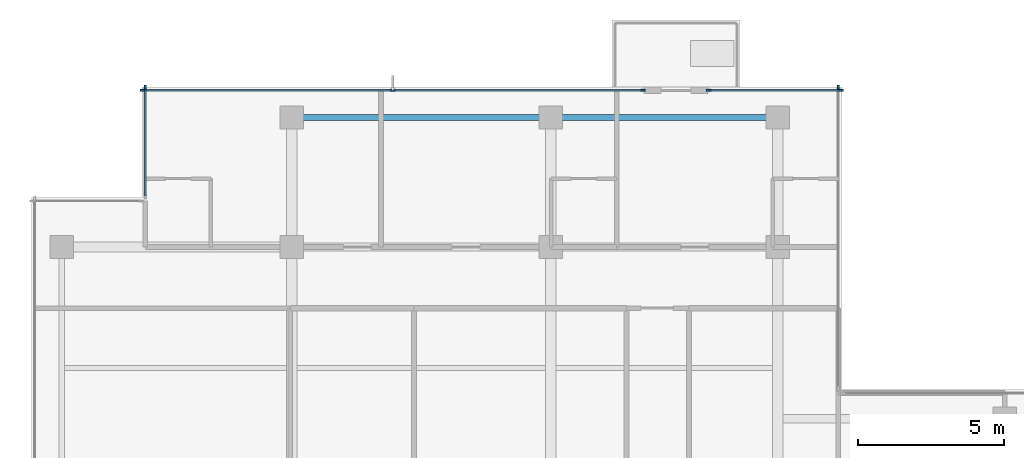
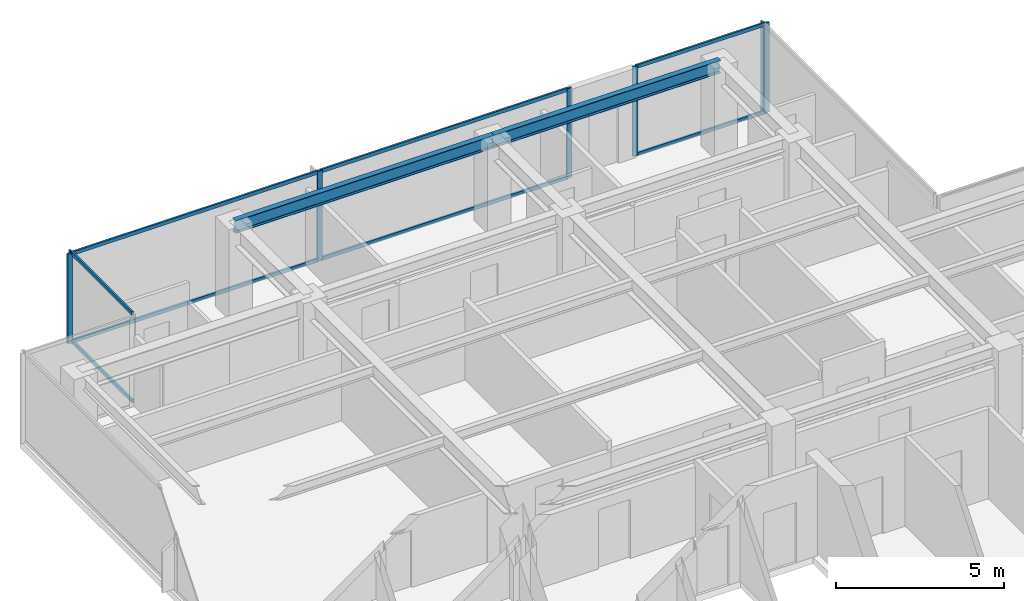
# One storey, part 4 of 11: 15 members, 2 beams, 4 elements without a shape of their own.
"""IFC4 building model written with IfcOpenShell, lengths in metres."""

from ifc_helpers import new_model, si_unit, direction, frame, origin, origin_2d, place, context, subcontext, project, spatial, rectangle, i_section, extrude, material, layer, layer_set, material_profile, profile_set, type_object, element, aggregate, save


model = new_model("IFC4")

# Units and contexts
model_context = context("Model", 3, precision=1e-05, world=origin(), true_north=direction((0.0, 1.0)))
body_context = subcontext(model_context, "Body", "Model", "MODEL_VIEW")
ifc_project = project(units=[si_unit("LENGTHUNIT", "METRE"), si_unit("AREAUNIT", "SQUARE_METRE"), si_unit("VOLUMEUNIT", "CUBIC_METRE"), si_unit("PLANEANGLEUNIT", "RADIAN"), si_unit("MASSUNIT", "GRAM", prefix="KILO")], contexts=[model_context])

# Site, building, storey
site_placement = place(None, origin())
site = spatial("IfcSite", under=ifc_project, at=site_placement, CompositionType="ELEMENT")
building_placement = place(site_placement, origin())
building = spatial("IfcBuilding", under=site, at=building_placement, Name="Qalmaran Belvedere Hotel", CompositionType="ELEMENT")
storey_placement = place(building_placement, frame((0.0, 0.0, 242.39990234375)))
storey = spatial("IfcBuildingStorey", under=building, at=storey_placement, Name="L62", CompositionType="ELEMENT", Elevation=242.39990234375)

# Beams
ifc_material_1 = material(Name="Steel S355JR", Category="steel")
ifc_material_profile_1 = material_profile(ifc_material_1, i_section(OverallWidth=0.19189453125, OverallDepth=0.462890625, WebThickness=0.010498046875, FlangeThickness=0.017578125, FilletRadius=0.01611328125, at=origin_2d()), Name="W460X89")
ifc_profile_set_1 = profile_set([ifc_material_profile_1], Name="Steel S355JR")
beam_type = type_object("IfcBeamType", Name="BM-SP2-W460X89", PredefinedType="SPANDREL", material=ifc_profile_set_1)
beam_1_placement = place(storey_placement, frame((20.300048828125, 37.449951171875, 3.028564453125), z_axis=(1.0, 0.0, 0.0), x_axis=(0.0, 1.0, 0.0)))
element("IfcBeam", 1, at=beam_1_placement, inside=storey, type_object=beam_type, Name="L62 Perimeter Spandrel 04", PredefinedType="SPANDREL", context=body_context, shape_type="SweptSolid", body=[
    extrude(i_section(OverallWidth=0.19189453125, OverallDepth=0.462890625, WebThickness=0.010498046875, FlangeThickness=0.017578125, FilletRadius=0.01611328125, at=origin_2d()), origin(), (0.0, 0.0, 1.0), 8.89990234375),
])
beam_2_placement = place(storey_placement, frame((29.199951171875, 37.449951171875, 3.028564453125), z_axis=(1.0, 0.0, 0.0), x_axis=(0.0, 1.0, 0.0)))
element("IfcBeam", 2, at=beam_2_placement, inside=storey, type_object=beam_type, Name="L62 Perimeter Spandrel 05", PredefinedType="SPANDREL", context=body_context, shape_type="SweptSolid", body=[
    extrude(i_section(OverallWidth=0.19189453125, OverallDepth=0.462890625, WebThickness=0.010498046875, FlangeThickness=0.017578125, FilletRadius=0.01611328125, at=origin_2d()), origin(), (0.0, 0.0, 1.0), 7.800048828125),
])

# Curtain wall, member
ifc_material_2 = material(Name="Anodised Bronze Aluminium", Category="aluminium")
ifc_layer = layer(ifc_material_2, 0.18505859375, Name="Anodised Bronze Aluminium")
ifc_layer_set = layer_set([ifc_layer], Name="Anodised Bronze Aluminium")
curtain_wall_type = type_object("IfcCurtainWallType", Name="CW6-TOWER-SKY", PredefinedType="NOTDEFINED", material=ifc_layer_set)
curtain_wall_1_placement = place(storey_placement, origin())
curtain_wall_1 = element("IfcCurtainWall", 3, at=curtain_wall_1_placement, inside=storey, type_object=curtain_wall_type, Name="L62 Curtain Wall CW6", PredefinedType="NOTDEFINED")
ifc_material_profile_2 = material_profile(ifc_material_2, rectangle(XDim=0.06494140625, YDim=0.1650390625, at=origin_2d()), Name="CWM65X165")
ifc_profile_set_2 = profile_set([ifc_material_profile_2], Name="Anodised Bronze Aluminium")
member_type_1 = type_object("IfcMemberType", Name="CWM-65X165", PredefinedType="MULLION", material=ifc_profile_set_2)
member_1_placement = place(storey_placement, frame((39.080078125, 38.467529296875, 0.0), z_axis=(0.0, 0.0, 1.0), x_axis=(-1.0, 0.0, 0.0)))
member_1 = element("IfcMember", 4, at=member_1_placement, type_object=member_type_1, Name="CW6 mullion 2", PredefinedType="MULLION", context=body_context, shape_type="SweptSolid", body=[
    extrude(rectangle(XDim=0.06494140625, YDim=0.1650390625, at=origin_2d()), origin(), (0.0, 0.0, 1.0), 3.260009765625),
])
aggregate(curtain_wall_1, [member_1])

# Curtain wall, members
curtain_wall_2_placement = place(storey_placement, origin())
curtain_wall_2 = element("IfcCurtainWall", 5, at=curtain_wall_2_placement, inside=storey, type_object=curtain_wall_type, Name="L62 Curtain Wall CW6", PredefinedType="NOTDEFINED")
member_2_placement = place(storey_placement, frame((32.367431640625, 38.3798828125, 0.0), z_axis=(0.0, 0.0, 1.0), x_axis=(0.0, -1.0, 0.0)))
member_2 = element("IfcMember", 6, at=member_2_placement, type_object=member_type_1, Name="CW6 mullion 1", PredefinedType="MULLION", context=body_context, shape_type="SweptSolid", body=[
    extrude(rectangle(XDim=0.06494140625, YDim=0.1650390625, at=origin_2d()), origin(), (0.0, 0.0, 1.0), 3.260009765625),
])
member_3_placement = place(storey_placement, frame((23.77490234375, 38.3798828125, 0.0), z_axis=(0.0, 0.0, 1.0), x_axis=(0.0, -1.0, 0.0)))
member_3 = element("IfcMember", 7, at=member_3_placement, type_object=member_type_1, Name="CW6 mullion 2", PredefinedType="MULLION", context=body_context, shape_type="SweptSolid", body=[
    extrude(rectangle(XDim=0.06494140625, YDim=0.1650390625, at=origin_2d()), origin(), (0.0, 0.0, 1.0), 3.260009765625),
])
member_4_placement = place(storey_placement, frame((15.1826171875, 38.3798828125, 0.0), z_axis=(0.0, 0.0, 1.0), x_axis=(0.0, -1.0, 0.0)))
member_4 = element("IfcMember", 8, at=member_4_placement, type_object=member_type_1, Name="CW6 mullion 3", PredefinedType="MULLION", context=body_context, shape_type="SweptSolid", body=[
    extrude(rectangle(XDim=0.06494140625, YDim=0.1650390625, at=origin_2d()), origin(), (0.0, 0.0, 1.0), 3.260009765625),
])

curtain_wall_3_placement = place(storey_placement, origin())
curtain_wall_3 = element("IfcCurtainWall", 9, at=curtain_wall_3_placement, inside=storey, type_object=curtain_wall_type, Name="L62 Curtain Wall CW6", PredefinedType="NOTDEFINED")
member_5_placement = place(storey_placement, frame((39.16748046875, 38.3798828125, 0.0), z_axis=(0.0, 0.0, 1.0), x_axis=(0.0, -1.0, 0.0)))
member_5 = element("IfcMember", 10, at=member_5_placement, type_object=member_type_1, Name="CW6 mullion 1", PredefinedType="MULLION", context=body_context, shape_type="SweptSolid", body=[
    extrude(rectangle(XDim=0.06494140625, YDim=0.1650390625, at=origin_2d()), origin(), (0.0, 0.0, 1.0), 3.260009765625),
])
member_6_placement = place(storey_placement, frame((34.632568359375, 38.3798828125, 0.0), z_axis=(0.0, 0.0, 1.0), x_axis=(0.0, -1.0, 0.0)))
member_6 = element("IfcMember", 11, at=member_6_placement, type_object=member_type_1, Name="CW6 mullion 2", PredefinedType="MULLION", context=body_context, shape_type="SweptSolid", body=[
    extrude(rectangle(XDim=0.06494140625, YDim=0.1650390625, at=origin_2d()), origin(), (0.0, 0.0, 1.0), 3.260009765625),
])

# Curtain wall, member
curtain_wall_4_placement = place(storey_placement, origin())
curtain_wall_4 = element("IfcCurtainWall", 12, at=curtain_wall_4_placement, inside=storey, type_object=curtain_wall_type, Name="L62 Curtain Wall CW6", PredefinedType="NOTDEFINED")
member_7_placement = place(storey_placement, frame((15.27001953125, 38.467529296875, 0.0), z_axis=(0.0, 0.0, 1.0), x_axis=(1.0, 0.0, 0.0)))
member_7 = element("IfcMember", 13, at=member_7_placement, type_object=member_type_1, Name="CW6 mullion 1", PredefinedType="MULLION", context=body_context, shape_type="SweptSolid", body=[
    extrude(rectangle(XDim=0.06494140625, YDim=0.1650390625, at=origin_2d()), origin(), (0.0, 0.0, 1.0), 3.260009765625),
])

# Member
ifc_material_profile_3 = material_profile(ifc_material_2, rectangle(XDim=0.06494140625, YDim=0.1298828125, at=origin_2d()), Name="CWT65X130")
ifc_profile_set_3 = profile_set([ifc_material_profile_3], Name="Anodised Bronze Aluminium")
member_type_2 = type_object("IfcMemberType", Name="CWT-65X130", PredefinedType="USERDEFINED", material=ifc_profile_set_3)
member_8_placement = place(storey_placement, frame((32.3349609375, 38.3798828125, 0.03271484375), z_axis=(-1.0, 0.0, 0.0), x_axis=(0.0, -1.0, 0.0)))
member_8 = element("IfcMember", 14, at=member_8_placement, type_object=member_type_2, Name="CW6 transom 1.1", ObjectType="TRANSOM", PredefinedType="USERDEFINED", context=body_context, shape_type="SweptSolid", body=[
    extrude(rectangle(XDim=0.06494140625, YDim=0.1298828125, at=origin_2d()), origin(), (0.0, 0.0, 1.0), 8.52734375),
])

member_9_placement = place(storey_placement, frame((32.3349609375, 38.3798828125, 3.2275390625), z_axis=(-1.0, 0.0, 0.0), x_axis=(0.0, -1.0, 0.0)))
member_9 = element("IfcMember", 15, at=member_9_placement, type_object=member_type_2, Name="CW6 transom 1.2", ObjectType="TRANSOM", PredefinedType="USERDEFINED", context=body_context, shape_type="SweptSolid", body=[
    extrude(rectangle(XDim=0.06494140625, YDim=0.1298828125, at=origin_2d()), origin(), (0.0, 0.0, 1.0), 8.52734375),
])

member_10_placement = place(storey_placement, frame((23.742431640625, 38.3798828125, 0.03271484375), z_axis=(-1.0, 0.0, 0.0), x_axis=(0.0, -1.0, 0.0)))
member_10 = element("IfcMember", 16, at=member_10_placement, type_object=member_type_2, Name="CW6 transom 2.1", ObjectType="TRANSOM", PredefinedType="USERDEFINED", context=body_context, shape_type="SweptSolid", body=[
    extrude(rectangle(XDim=0.06494140625, YDim=0.1298828125, at=origin_2d()), origin(), (0.0, 0.0, 1.0), 8.52734375),
])

member_11_placement = place(storey_placement, frame((23.742431640625, 38.3798828125, 3.2275390625), z_axis=(-1.0, 0.0, 0.0), x_axis=(0.0, -1.0, 0.0)))
member_11 = element("IfcMember", 17, at=member_11_placement, type_object=member_type_2, Name="CW6 transom 2.2", ObjectType="TRANSOM", PredefinedType="USERDEFINED", context=body_context, shape_type="SweptSolid", body=[
    extrude(rectangle(XDim=0.06494140625, YDim=0.1298828125, at=origin_2d()), origin(), (0.0, 0.0, 1.0), 8.52734375),
])

aggregate(curtain_wall_2, [member_2, member_3, member_4, member_8, member_9, member_10, member_11])

member_12_placement = place(storey_placement, frame((39.135009765625, 38.3798828125, 0.03271484375), z_axis=(-1.0, 0.0, 0.0), x_axis=(0.0, -1.0, 0.0)))
member_12 = element("IfcMember", 18, at=member_12_placement, type_object=member_type_2, Name="CW6 transom 1.1", ObjectType="TRANSOM", PredefinedType="USERDEFINED", context=body_context, shape_type="SweptSolid", body=[
    extrude(rectangle(XDim=0.06494140625, YDim=0.1298828125, at=origin_2d()), origin(), (0.0, 0.0, 1.0), 4.469970703125),
])

member_13_placement = place(storey_placement, frame((39.135009765625, 38.3798828125, 3.2275390625), z_axis=(-1.0, 0.0, 0.0), x_axis=(0.0, -1.0, 0.0)))
member_13 = element("IfcMember", 19, at=member_13_placement, type_object=member_type_2, Name="CW6 transom 1.2", ObjectType="TRANSOM", PredefinedType="USERDEFINED", context=body_context, shape_type="SweptSolid", body=[
    extrude(rectangle(XDim=0.06494140625, YDim=0.1298828125, at=origin_2d()), origin(), (0.0, 0.0, 1.0), 4.469970703125),
])

aggregate(curtain_wall_3, [member_5, member_6, member_12, member_13])

member_14_placement = place(storey_placement, frame((15.27001953125, 38.43505859375, 0.03271484375), z_axis=(0.0, -1.0, 0.0), x_axis=(1.0, 0.0, 0.0)))
member_14 = element("IfcMember", 20, at=member_14_placement, type_object=member_type_2, Name="CW6 transom 1.1", ObjectType="TRANSOM", PredefinedType="USERDEFINED", context=body_context, shape_type="SweptSolid", body=[
    extrude(rectangle(XDim=0.06494140625, YDim=0.1298828125, at=origin_2d()), origin(), (0.0, 0.0, 1.0), 3.670166015625),
])

member_15_placement = place(storey_placement, frame((15.27001953125, 38.43505859375, 3.2275390625), z_axis=(0.0, -1.0, 0.0), x_axis=(1.0, 0.0, 0.0)))
member_15 = element("IfcMember", 21, at=member_15_placement, type_object=member_type_2, Name="CW6 transom 1.2", ObjectType="TRANSOM", PredefinedType="USERDEFINED", context=body_context, shape_type="SweptSolid", body=[
    extrude(rectangle(XDim=0.06494140625, YDim=0.1298828125, at=origin_2d()), origin(), (0.0, 0.0, 1.0), 3.670166015625),
])

aggregate(curtain_wall_4, [member_7, member_14, member_15])

save(model, "model.ifc")
